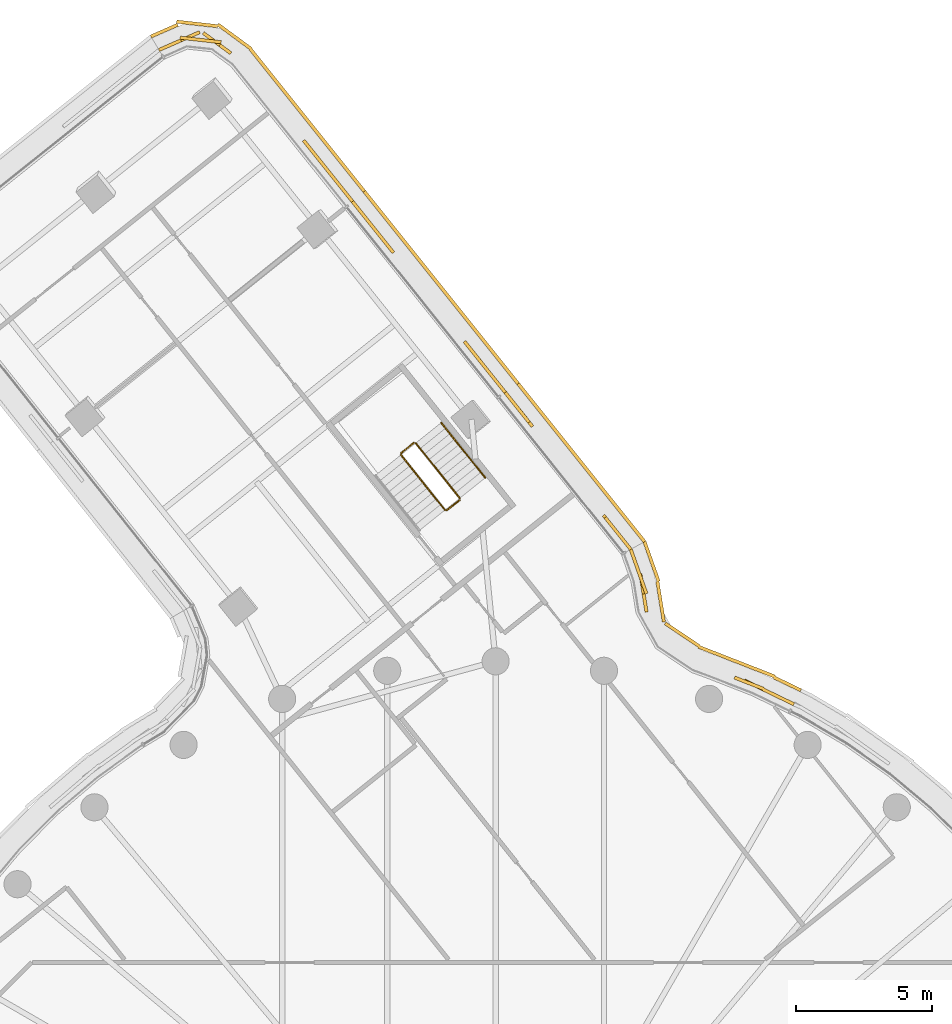
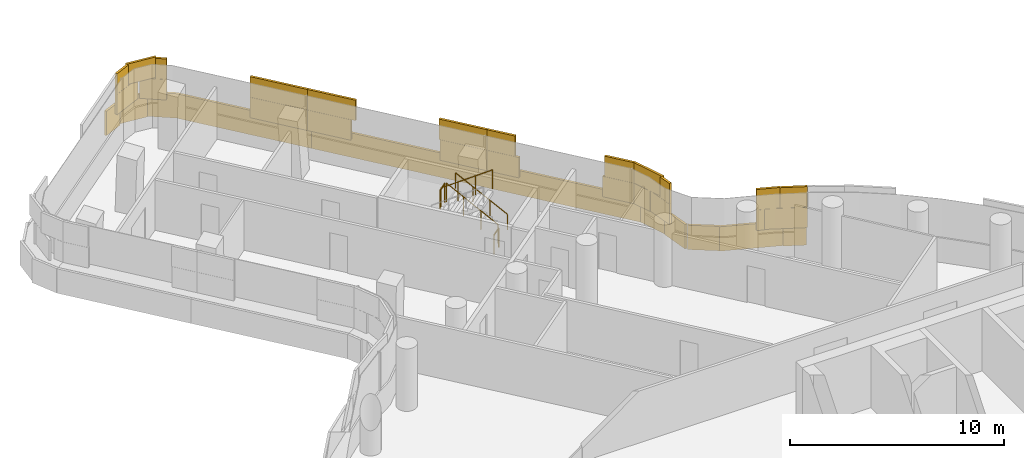
# One storey, part 31 of 31: 5 railings, 4 coverings.
"""IFC4 building model written with IfcOpenShell, lengths in metres."""

from ifc_helpers import new_model, si_unit, direction, frame, origin, origin_2d, place, context, subcontext, project, spatial, rectangle, circle, extrude, material, layer, layer_set, type_object, element, save


model = new_model("IFC4")

# Units and contexts
model_context = context("Model", 3, precision=1e-05, world=origin(), true_north=direction((0.0, 1.0)))
body_context = subcontext(model_context, "Body", "Model", "MODEL_VIEW")
ifc_project = project(units=[si_unit("LENGTHUNIT", "METRE"), si_unit("AREAUNIT", "SQUARE_METRE"), si_unit("VOLUMEUNIT", "CUBIC_METRE"), si_unit("PLANEANGLEUNIT", "RADIAN"), si_unit("MASSUNIT", "GRAM", prefix="KILO")], contexts=[model_context])

# Site, building, storey
site_placement = place(None, origin())
site = spatial("IfcSite", under=ifc_project, at=site_placement, CompositionType="ELEMENT")
building_placement = place(site_placement, origin())
building = spatial("IfcBuilding", under=site, at=building_placement, Name="Tamarind Cross Interchange Tower", CompositionType="ELEMENT")
storey_placement = place(building_placement, frame((0.0, 0.0, 174.25)))
storey = spatial("IfcBuildingStorey", under=building, at=storey_placement, Name="L43", CompositionType="ELEMENT", Elevation=174.25)

# Railings
ifc_material_1 = material(Name="Stair guard")
railing_type_1 = type_object("IfcRailingType", Name="Stair guard", PredefinedType="GUARDRAIL", material=ifc_material_1)
railing_1_placement = place(storey_placement, frame((-1.3193359375, 29.01220703125, 0.17041015625)))
element("IfcRailing", 1, at=railing_1_placement, inside=storey, type_object=railing_type_1, Name="L43 ST4 stair guard 1", PredefinedType="GUARDRAIL", context=body_context, shape_type="SweptSolid", body=[
    extrude(circle(Radius=0.02392578125, at=origin_2d()), frame((0.0, 0.0, 1.076171875), z_axis=(-0.522440495283, 0.653030987341, 0.548275896298), x_axis=(-0.780859648533, -0.62470649852, 0.0)), (0.0, 0.0, 1.0), 3.10888671875),
    extrude(circle(Radius=0.02099609375, at=origin_2d()), origin(), (0.0, 0.0, 1.0), 1.052001953125),
    extrude(circle(Radius=0.02099609375, at=origin_2d()), frame((-0.54150390625, 0.6767578125, 0.568115234375)), (0.0, 0.0, 1.0), 1.052001953125),
    extrude(circle(Radius=0.02099609375, at=origin_2d()), frame((-1.082763671875, 1.353515625, 1.136474609375)), (0.0, 0.0, 1.0), 1.052001953125),
    extrude(circle(Radius=0.02099609375, at=origin_2d()), frame((-1.624267578125, 2.0302734375, 1.70458984375)), (0.0, 0.0, 1.0), 1.052001953125),
])
railing_2_placement = place(storey_placement, frame((-3.013916015625, 31.05029296875, 1.875)))
element("IfcRailing", 2, at=railing_2_placement, inside=storey, type_object=railing_type_1, Name="L43 ST4 stair guard 2", PredefinedType="GUARDRAIL", context=body_context, shape_type="SweptSolid", body=[
    extrude(circle(Radius=0.02392578125, at=origin_2d()), frame((0.0, 0.0, 1.076171875), z_axis=(-0.780908508854, -0.624645420058, 0.0), x_axis=(0.624645420058, -0.780908508854, 0.0)), (0.0, 0.0, 1.0), 0.599853515625),
    extrude(circle(Radius=0.02099609375, at=origin_2d()), origin(), (0.0, 0.0, 1.0), 1.052001953125),
    extrude(circle(Radius=0.02099609375, at=origin_2d()), frame((-0.468505859375, -0.374755859375, 0.0)), (0.0, 0.0, 1.0), 1.052001953125),
])
railing_3_placement = place(storey_placement, frame((-3.490234375, 30.605224609375, 2.04541015625)))
element("IfcRailing", 3, at=railing_3_placement, inside=storey, type_object=railing_type_1, Name="L43 ST4 stair guard 3", PredefinedType="GUARDRAIL", context=body_context, shape_type="SweptSolid", body=[
    extrude(circle(Radius=0.02392578125, at=origin_2d()), frame((0.0, 0.0, 1.076171875), z_axis=(0.522440495283, -0.653030987341, 0.548275896298), x_axis=(0.780859648533, 0.62470649852, 0.0)), (0.0, 0.0, 1.0), 3.10888671875),
    extrude(circle(Radius=0.02099609375, at=origin_2d()), origin(), (0.0, 0.0, 1.0), 1.052001953125),
    extrude(circle(Radius=0.02099609375, at=origin_2d()), frame((0.54150390625, -0.6767578125, 0.568115234375)), (0.0, 0.0, 1.0), 1.052001953125),
    extrude(circle(Radius=0.02099609375, at=origin_2d()), frame((1.082763671875, -1.353515625, 1.136474609375)), (0.0, 0.0, 1.0), 1.052001953125),
    extrude(circle(Radius=0.02099609375, at=origin_2d()), frame((1.624267578125, -2.0302734375, 1.70458984375)), (0.0, 0.0, 1.0), 1.052001953125),
])
railing_4_placement = place(storey_placement, frame((-1.3271484375, 28.94189453125, 0.0)))
element("IfcRailing", 4, at=railing_4_placement, inside=storey, type_object=railing_type_1, Name="L43 ST4 stair guard 4", PredefinedType="GUARDRAIL", context=body_context, shape_type="SweptSolid", body=[
    extrude(circle(Radius=0.02392578125, at=origin_2d()), frame((0.0, 0.0, 1.076171875), z_axis=(-0.780908508854, -0.624645420058, 0.0), x_axis=(0.624645420058, -0.780908508854, 0.0)), (0.0, 0.0, 1.0), 0.599853515625),
    extrude(circle(Radius=0.02099609375, at=origin_2d()), origin(), (0.0, 0.0, 1.0), 1.052001953125),
    extrude(circle(Radius=0.02099609375, at=origin_2d()), frame((-0.468505859375, -0.374755859375, 0.0)), (0.0, 0.0, 1.0), 1.052001953125),
])
ifc_material_2 = material(Name="Stair handrail")
railing_type_2 = type_object("IfcRailingType", Name="Stair handrail", PredefinedType="HANDRAIL", material=ifc_material_2)
railing_5_placement = place(storey_placement, frame((-0.38232421875, 29.761962890625, 0.17041015625)))
element("IfcRailing", 5, at=railing_5_placement, inside=storey, type_object=railing_type_2, Name="L43 ST4 stair handrail 1", PredefinedType="HANDRAIL", context=body_context, shape_type="SweptSolid", body=[
    extrude(circle(Radius=0.02392578125, at=origin_2d()), frame((0.0, 0.0, 0.8759765625), z_axis=(-0.522383398209, 0.653057778038, 0.548298389401), x_axis=(-0.780905453553, -0.624649239663, 0.0)), (0.0, 0.0, 1.0), 3.10888671875),
    extrude(circle(Radius=0.02099609375, at=origin_2d()), origin(), (0.0, 0.0, 1.0), 0.851806640625),
    extrude(circle(Radius=0.02099609375, at=origin_2d()), frame((-0.541259765625, 0.6767578125, 0.568115234375)), (0.0, 0.0, 1.0), 0.851806640625),
    extrude(circle(Radius=0.02099609375, at=origin_2d()), frame((-1.082763671875, 1.353515625, 1.136474609375)), (0.0, 0.0, 1.0), 0.851806640625),
    extrude(circle(Radius=0.02099609375, at=origin_2d()), frame((-1.6240234375, 2.0302734375, 1.70458984375)), (0.0, 0.0, 1.0), 0.851806640625),
])

# Coverings
ifc_material_3 = material(Name="Terracotta", Category="masonry")
ifc_layer = layer(ifc_material_3, 0.1201171875)
ifc_layer_set = layer_set([ifc_layer], Name="Terracotta")
covering_type = type_object("IfcCoveringType", Name="Terracotta baguette screen unit", PredefinedType="MOLDING", material=ifc_layer_set)
covering_1_placement = place(storey_placement, origin())
element("IfcCovering", 6, at=covering_1_placement, inside=storey, type_object=covering_type, Name="SCR-L43-10-01", PredefinedType="MOLDING", context=body_context, shape_type="SweptSolid", body=[
    extrude(rectangle(XDim=0.516845703125, YDim=0.1201171875, at=origin_2d()), frame((10.7568359375, 21.52978515625, 1.404052734375), z_axis=(0.0, 0.0, 1.0), x_axis=(-0.900272776334, 0.435326231914, 0.0)), (0.0, 0.0, 1.0), 1.1669921875),
    extrude(rectangle(XDim=1.52001953125, YDim=0.1201171875, at=origin_2d()), frame((9.853271484375, 21.966796875, 1.404052734375), z_axis=(0.0, 0.0, 1.0), x_axis=(-0.900272776334, 0.435326231914, 0.0)), (0.0, 0.0, 1.0), 1.1669921875),
    extrude(rectangle(XDim=0.392578125, YDim=0.1201171875, at=origin_2d()), frame((8.98583984375, 22.33056640625, 1.404052734375), z_axis=(0.0, 0.0, 1.0), x_axis=(-0.931591088049, 0.363507970569, 0.0)), (0.0, 0.0, 1.0), 1.1669921875),
    extrude(rectangle(XDim=1.42724609375, YDim=0.1201171875, at=origin_2d()), frame((5.44921875, 25.518310546875, 1.404052734375), z_axis=(0.0, 0.0, 1.0), x_axis=(-0.157985413104, 0.987441445984, 0.0)), (0.0, 0.0, 1.0), 1.1669921875),
    extrude(rectangle(XDim=0.982177734375, YDim=0.1201171875, at=origin_2d()), frame((5.140869140625, 26.667724609375, 1.404052734375), z_axis=(0.0, 0.0, 1.0), x_axis=(-0.333495519273, 0.942751684499, 0.0)), (0.0, 0.0, 1.0), 1.1669921875),
    extrude(rectangle(XDim=1.266845703125, YDim=0.1201171875, at=origin_2d()), frame((10.419189453125, 21.693115234375, 2.5791015625), z_axis=(0.0, 0.0, 1.0), x_axis=(-0.900272776334, 0.435326231914, 0.0)), (0.0, 0.0, 1.0), 1.1669921875),
    extrude(rectangle(XDim=1.142578125, YDim=0.1201171875, at=origin_2d()), frame((9.335205078125, 22.1943359375, 2.5791015625), z_axis=(0.0, 0.0, 1.0), x_axis=(-0.931591088049, 0.363507970569, 0.0)), (0.0, 0.0, 1.0), 1.1669921875),
    extrude(rectangle(XDim=0.67724609375, YDim=0.1201171875, at=origin_2d()), frame((5.508544921875, 25.14794921875, 2.5791015625), z_axis=(0.0, 0.0, 1.0), x_axis=(-0.157985413104, 0.987441445984, 0.0)), (0.0, 0.0, 1.0), 1.1669921875),
    extrude(rectangle(XDim=1.52001953125, YDim=0.1201171875, at=origin_2d()), frame((5.30322265625, 26.20947265625, 2.5791015625), z_axis=(0.0, 0.0, 1.0), x_axis=(-0.333495519273, 0.942751684499, 0.0)), (0.0, 0.0, 1.0), 1.1669921875),
    extrude(rectangle(XDim=0.232177734375, YDim=0.1201171875, at=origin_2d()), frame((5.015869140625, 27.021240234375, 2.5791015625), z_axis=(0.0, 0.0, 1.0), x_axis=(-0.333495519273, 0.942751684499, 0.0)), (0.0, 0.0, 1.0), 1.1669921875),
    extrude(rectangle(XDim=1.099853515625, YDim=0.1201171875, at=origin_2d()), frame((10.752197265625, 22.169677734375, 0.00390625), z_axis=(0.0, 0.0, 1.0), x_axis=(-0.900272776334, 0.435326231914, 0.0)), (0.0, 0.0, 1.0), 1.39208984375),
    extrude(rectangle(XDim=1.52001953125, YDim=0.1201171875, at=origin_2d()), frame((9.583251953125, 22.7138671875, 0.00390625), z_axis=(0.0, 0.0, 1.0), x_axis=(-0.931591088049, 0.363507970569, 0.0)), (0.0, 0.0, 1.0), 1.39208984375),
    extrude(rectangle(XDim=1.52001953125, YDim=0.1201171875, at=origin_2d()), frame((8.185791015625, 23.259033203125, 0.00390625), z_axis=(0.0, 0.0, 1.0), x_axis=(-0.931591088049, 0.363507970569, 0.0)), (0.0, 0.0, 1.0), 1.39208984375),
    extrude(rectangle(XDim=1.52001953125, YDim=0.1201171875, at=origin_2d()), frame((6.87939453125, 23.975341796875, 0.00390625), z_axis=(0.0, 0.0, 1.0), x_axis=(-0.829754171927, 0.558129030036, 0.0)), (0.0, 0.0, 1.0), 1.39208984375),
    extrude(rectangle(XDim=1.52001953125, YDim=0.1201171875, at=origin_2d()), frame((6.0810546875, 25.201904296875, 0.00390625), z_axis=(0.0, 0.0, 1.0), x_axis=(-0.157985413104, 0.987441445984, 0.0)), (0.0, 0.0, 1.0), 1.39208984375),
    extrude(rectangle(XDim=1.52001953125, YDim=0.1201171875, at=origin_2d()), frame((5.752685546875, 26.659912109375, 0.00390625), z_axis=(0.0, 0.0, 1.0), x_axis=(-0.333495519273, 0.942751684499, 0.0)), (0.0, 0.0, 1.0), 1.39208984375),
    extrude(rectangle(XDim=0.054443359375, YDim=0.1201171875, at=origin_2d()), frame((5.496826171875, 27.383056640625, 0.00390625), z_axis=(0.0, 0.0, 1.0), x_axis=(-0.333495519273, 0.942751684499, 0.0)), (0.0, 0.0, 1.0), 1.39208984375),
])
covering_2_placement = place(storey_placement, origin())
element("IfcCovering", 7, at=covering_2_placement, inside=storey, type_object=covering_type, Name="SCR-L43-11-00", PredefinedType="MOLDING", context=body_context, shape_type="SweptSolid", body=[
    extrude(rectangle(XDim=0.760009765625, YDim=0.1201171875, at=origin_2d()), frame((4.74462890625, 27.4189453125, 1.404052734375), z_axis=(0.0, 0.0, 1.0), x_axis=(-0.624664951388, 0.780892885425, 0.0)), (0.0, 0.0, 1.0), 1.1669921875),
    extrude(rectangle(XDim=0.8603515625, YDim=0.1201171875, at=origin_2d()), frame((4.244873046875, 28.043701171875, 1.404052734375), z_axis=(0.0, 0.0, 1.0), x_axis=(-0.624664951388, 0.780892885425, 0.0)), (0.0, 0.0, 1.0), 1.1669921875),
    extrude(rectangle(XDim=0.959716796875, YDim=0.1201171875, at=origin_2d()), frame((1.05908203125, 32.0263671875, 1.404052734375), z_axis=(0.0, 0.0, 1.0), x_axis=(-0.624664951388, 0.780892885425, 0.0)), (0.0, 0.0, 1.0), 1.1669921875),
    extrude(rectangle(XDim=0.66064453125, YDim=0.1201171875, at=origin_2d()), frame((0.55908203125, 32.651123046875, 1.404052734375), z_axis=(0.0, 0.0, 1.0), x_axis=(-0.624664951388, 0.780892885425, 0.0)), (0.0, 0.0, 1.0), 1.1669921875),
    extrude(rectangle(XDim=1.510009765625, YDim=0.1201171875, at=origin_2d()), frame((4.51025390625, 27.711669921875, 2.5791015625), z_axis=(0.0, 0.0, 1.0), x_axis=(-0.624664951388, 0.780892885425, 0.0)), (0.0, 0.0, 1.0), 1.1669921875),
    extrude(rectangle(XDim=1.41064453125, YDim=0.1201171875, at=origin_2d()), frame((0.79345703125, 32.3583984375, 2.5791015625), z_axis=(0.0, 0.0, 1.0), x_axis=(-0.624664951388, 0.780892885425, 0.0)), (0.0, 0.0, 1.0), 1.1669921875),
    extrude(rectangle(XDim=0.760009765625, YDim=0.1201171875, at=origin_2d()), frame((5.250244140625, 27.70556640625, 0.00390625), z_axis=(0.0, 0.0, 1.0), x_axis=(-0.624664951388, 0.780892885425, 0.0)), (0.0, 0.0, 1.0), 1.39208984375),
    extrude(rectangle(XDim=1.52001953125, YDim=0.1201171875, at=origin_2d()), frame((4.55078125, 28.580078125, 0.00390625), z_axis=(0.0, 0.0, 1.0), x_axis=(-0.624664951388, 0.780892885425, 0.0)), (0.0, 0.0, 1.0), 1.39208984375),
    extrude(rectangle(XDim=1.52001953125, YDim=0.1201171875, at=origin_2d()), frame((3.61376953125, 29.75146484375, 0.00390625), z_axis=(0.0, 0.0, 1.0), x_axis=(-0.624664951388, 0.780892885425, 0.0)), (0.0, 0.0, 1.0), 1.39208984375),
    extrude(rectangle(XDim=1.52001953125, YDim=0.1201171875, at=origin_2d()), frame((2.6767578125, 30.9228515625, 0.00390625), z_axis=(0.0, 0.0, 1.0), x_axis=(-0.624664951388, 0.780892885425, 0.0)), (0.0, 0.0, 1.0), 1.39208984375),
    extrude(rectangle(XDim=1.52001953125, YDim=0.1201171875, at=origin_2d()), frame((1.73974609375, 32.09423828125, 0.00390625), z_axis=(0.0, 0.0, 1.0), x_axis=(-0.624664951388, 0.780892885425, 0.0)), (0.0, 0.0, 1.0), 1.39208984375),
    extrude(rectangle(XDim=0.7158203125, YDim=0.1201171875, at=origin_2d()), frame((1.0537109375, 32.95166015625, 0.00390625), z_axis=(0.0, 0.0, 1.0), x_axis=(-0.624664951388, 0.780892885425, 0.0)), (0.0, 0.0, 1.0), 1.39208984375),
])
covering_3_placement = place(storey_placement, origin())
element("IfcCovering", 8, at=covering_3_placement, inside=storey, type_object=covering_type, Name="SCR-L43-11-01", PredefinedType="MOLDING", context=body_context, shape_type="SweptSolid", body=[
    extrude(rectangle(XDim=0.859130859375, YDim=0.1201171875, at=origin_2d()), frame((0.090576171875, 33.23681640625, 1.404052734375), z_axis=(0.0, 0.0, 1.0), x_axis=(-0.624664951388, 0.780892885425, 0.0)), (0.0, 0.0, 1.0), 1.1669921875),
    extrude(rectangle(XDim=1.52001953125, YDim=0.1201171875, at=origin_2d()), frame((-0.64306640625, 34.154052734375, 1.404052734375), z_axis=(0.0, 0.0, 1.0), x_axis=(-0.624664951388, 0.780892885425, 0.0)), (0.0, 0.0, 1.0), 1.1669921875),
    extrude(rectangle(XDim=1.52001953125, YDim=0.1201171875, at=origin_2d()), frame((-4.39111328125, 38.83935546875, 1.404052734375), z_axis=(0.0, 0.0, 1.0), x_axis=(-0.624664951388, 0.780892885425, 0.0)), (0.0, 0.0, 1.0), 1.1669921875),
    extrude(rectangle(XDim=0.67138671875, YDim=0.1201171875, at=origin_2d()), frame((-5.066162109375, 39.683349609375, 1.404052734375), z_axis=(0.0, 0.0, 1.0), x_axis=(-0.624664951388, 0.780892885425, 0.0)), (0.0, 0.0, 1.0), 1.1669921875),
    extrude(rectangle(XDim=0.109130859375, YDim=0.1201171875, at=origin_2d()), frame((0.324951171875, 32.94384765625, 2.5791015625), z_axis=(0.0, 0.0, 1.0), x_axis=(-0.624664951388, 0.780892885425, 0.0)), (0.0, 0.0, 1.0), 1.1669921875),
    extrude(rectangle(XDim=1.52001953125, YDim=0.1201171875, at=origin_2d()), frame((-0.174560546875, 33.568359375, 2.5791015625), z_axis=(0.0, 0.0, 1.0), x_axis=(-0.624664951388, 0.780892885425, 0.0)), (0.0, 0.0, 1.0), 1.1669921875),
    extrude(rectangle(XDim=0.81591796875, YDim=0.1201171875, at=origin_2d()), frame((-0.894775390625, 34.46875, 2.5791015625), z_axis=(0.0, 0.0, 1.0), x_axis=(-0.624664951388, 0.780892885425, 0.0)), (0.0, 0.0, 1.0), 1.1669921875),
    extrude(rectangle(XDim=1.00390625, YDim=0.1201171875, at=origin_2d()), frame((-4.08056640625, 38.451416015625, 2.5791015625), z_axis=(0.0, 0.0, 1.0), x_axis=(-0.624664951388, 0.780892885425, 0.0)), (0.0, 0.0, 1.0), 1.1669921875),
    extrude(rectangle(XDim=1.42138671875, YDim=0.1201171875, at=origin_2d()), frame((-4.831787109375, 39.390380859375, 2.5791015625), z_axis=(0.0, 0.0, 1.0), x_axis=(-0.624664951388, 0.780892885425, 0.0)), (0.0, 0.0, 1.0), 1.1669921875),
    extrude(rectangle(XDim=0.80419921875, YDim=0.1201171875, at=origin_2d()), frame((0.5791015625, 33.545166015625, 0.00390625), z_axis=(0.0, 0.0, 1.0), x_axis=(-0.624664951388, 0.780892885425, 0.0)), (0.0, 0.0, 1.0), 1.39208984375),
    extrude(rectangle(XDim=1.52001953125, YDim=0.1201171875, at=origin_2d()), frame((-0.13427734375, 34.436767578125, 0.00390625), z_axis=(0.0, 0.0, 1.0), x_axis=(-0.624664951388, 0.780892885425, 0.0)), (0.0, 0.0, 1.0), 1.39208984375),
    extrude(rectangle(XDim=1.52001953125, YDim=0.1201171875, at=origin_2d()), frame((-1.0712890625, 35.608154296875, 0.00390625), z_axis=(0.0, 0.0, 1.0), x_axis=(-0.624664951388, 0.780892885425, 0.0)), (0.0, 0.0, 1.0), 1.39208984375),
    extrude(rectangle(XDim=1.52001953125, YDim=0.1201171875, at=origin_2d()), frame((-2.00830078125, 36.779541015625, 0.00390625), z_axis=(0.0, 0.0, 1.0), x_axis=(-0.624664951388, 0.780892885425, 0.0)), (0.0, 0.0, 1.0), 1.39208984375),
    extrude(rectangle(XDim=1.52001953125, YDim=0.1201171875, at=origin_2d()), frame((-2.9453125, 37.950927734375, 0.00390625), z_axis=(0.0, 0.0, 1.0), x_axis=(-0.624664951388, 0.780892885425, 0.0)), (0.0, 0.0, 1.0), 1.39208984375),
    extrude(rectangle(XDim=1.52001953125, YDim=0.1201171875, at=origin_2d()), frame((-3.88232421875, 39.122314453125, 0.00390625), z_axis=(0.0, 0.0, 1.0), x_axis=(-0.624664951388, 0.780892885425, 0.0)), (0.0, 0.0, 1.0), 1.39208984375),
    extrude(rectangle(XDim=0.79345703125, YDim=0.1201171875, at=origin_2d()), frame((-4.592529296875, 40.010009765625, 0.00390625), z_axis=(0.0, 0.0, 1.0), x_axis=(-0.624664951388, 0.780892885425, 0.0)), (0.0, 0.0, 1.0), 1.39208984375),
])
covering_4_placement = place(storey_placement, origin())
element("IfcCovering", 9, at=covering_4_placement, inside=storey, type_object=covering_type, Name="SCR-L43-11-02", PredefinedType="MOLDING", context=body_context, shape_type="SweptSolid", body=[
    extrude(rectangle(XDim=0.8486328125, YDim=0.1201171875, at=origin_2d()), frame((-5.53466796875, 40.26904296875, 1.404052734375), z_axis=(0.0, 0.0, 1.0), x_axis=(-0.624664951388, 0.780892885425, 0.0)), (0.0, 0.0, 1.0), 1.1669921875),
    extrude(rectangle(XDim=1.52001953125, YDim=0.1201171875, at=origin_2d()), frame((-6.26513671875, 41.18212890625, 1.404052734375), z_axis=(0.0, 0.0, 1.0), x_axis=(-0.624664951388, 0.780892885425, 0.0)), (0.0, 0.0, 1.0), 1.1669921875),
    extrude(rectangle(XDim=0.554931640625, YDim=0.1201171875, at=origin_2d()), frame((-6.90380859375, 41.98046875, 1.404052734375), z_axis=(0.0, 0.0, 1.0), x_axis=(-0.624664951388, 0.780892885425, 0.0)), (0.0, 0.0, 1.0), 1.1669921875),
    extrude(rectangle(XDim=1.26513671875, YDim=0.1201171875, at=origin_2d()), frame((-10.264892578125, 45.7802734375, 1.404052734375), z_axis=(0.0, 0.0, 1.0), x_axis=(-0.805489960256, 0.59260941937, 0.0)), (0.0, 0.0, 1.0), 1.1669921875),
    extrude(rectangle(XDim=1.52001953125, YDim=0.1201171875, at=origin_2d()), frame((-11.60009765625, 45.882568359375, 1.404052734375), z_axis=(0.0, 0.0, 1.0), x_axis=(-0.915959791825, -0.40127005839, 0.0)), (0.0, 0.0, 1.0), 1.1669921875),
    extrude(rectangle(XDim=0.138427734375, YDim=0.1201171875, at=origin_2d()), frame((-12.345703125, 45.555908203125, 1.404052734375), z_axis=(0.0, 0.0, 1.0), x_axis=(-0.915959791825, -0.40127005839, 0.0)), (0.0, 0.0, 1.0), 1.1669921875),
    extrude(rectangle(XDim=0.0986328125, YDim=0.1201171875, at=origin_2d()), frame((-5.30029296875, 39.97607421875, 2.5791015625), z_axis=(0.0, 0.0, 1.0), x_axis=(-0.624664951388, 0.780892885425, 0.0)), (0.0, 0.0, 1.0), 1.1669921875),
    extrude(rectangle(XDim=1.52001953125, YDim=0.1201171875, at=origin_2d()), frame((-5.796630859375, 40.596435546875, 2.5791015625), z_axis=(0.0, 0.0, 1.0), x_axis=(-0.624664951388, 0.780892885425, 0.0)), (0.0, 0.0, 1.0), 1.1669921875),
    extrude(rectangle(XDim=1.304931640625, YDim=0.1201171875, at=origin_2d()), frame((-6.66943359375, 41.687744140625, 2.5791015625), z_axis=(0.0, 0.0, 1.0), x_axis=(-0.624664951388, 0.780892885425, 0.0)), (0.0, 0.0, 1.0), 1.1669921875),
    extrude(rectangle(XDim=0.51513671875, YDim=0.1201171875, at=origin_2d()), frame((-9.962890625, 45.55810546875, 2.5791015625), z_axis=(0.0, 0.0, 1.0), x_axis=(-0.805489960256, 0.59260941937, 0.0)), (0.0, 0.0, 1.0), 1.1669921875),
    extrude(rectangle(XDim=1.52001953125, YDim=0.1201171875, at=origin_2d()), frame((-10.86962890625, 45.8984375, 2.5791015625), z_axis=(0.0, 0.0, 1.0), x_axis=(-0.99387947776, 0.110469831569, 0.0)), (0.0, 0.0, 1.0), 1.1669921875),
    extrude(rectangle(XDim=0.888427734375, YDim=0.1201171875, at=origin_2d()), frame((-12.002197265625, 45.70654296875, 2.5791015625), z_axis=(0.0, 0.0, 1.0), x_axis=(-0.915959791825, -0.40127005839, 0.0)), (0.0, 0.0, 1.0), 1.1669921875),
    extrude(rectangle(XDim=0.726318359375, YDim=0.1201171875, at=origin_2d()), frame((-5.067138671875, 40.603515625, 0.00390625), z_axis=(0.0, 0.0, 1.0), x_axis=(-0.624664951388, 0.780892885425, 0.0)), (0.0, 0.0, 1.0), 1.39208984375),
    extrude(rectangle(XDim=1.52001953125, YDim=0.1201171875, at=origin_2d()), frame((-5.75634765625, 41.46484375, 0.00390625), z_axis=(0.0, 0.0, 1.0), x_axis=(-0.624664951388, 0.780892885425, 0.0)), (0.0, 0.0, 1.0), 1.39208984375),
    extrude(rectangle(XDim=1.52001953125, YDim=0.1201171875, at=origin_2d()), frame((-6.693359375, 42.63623046875, 0.00390625), z_axis=(0.0, 0.0, 1.0), x_axis=(-0.624664951388, 0.780892885425, 0.0)), (0.0, 0.0, 1.0), 1.39208984375),
    extrude(rectangle(XDim=1.52001953125, YDim=0.1201171875, at=origin_2d()), frame((-7.63037109375, 43.8076171875, 0.00390625), z_axis=(0.0, 0.0, 1.0), x_axis=(-0.624664951388, 0.780892885425, 0.0)), (0.0, 0.0, 1.0), 1.39208984375),
    extrude(rectangle(XDim=1.52001953125, YDim=0.1201171875, at=origin_2d()), frame((-8.5673828125, 44.97900390625, 0.00390625), z_axis=(0.0, 0.0, 1.0), x_axis=(-0.624664951388, 0.780892885425, 0.0)), (0.0, 0.0, 1.0), 1.39208984375),
    extrude(rectangle(XDim=1.52001953125, YDim=0.1201171875, at=origin_2d()), frame((-9.62646484375, 46.023193359375, 0.00390625), z_axis=(0.0, 0.0, 1.0), x_axis=(-0.805489960256, 0.59260941937, 0.0)), (0.0, 0.0, 1.0), 1.39208984375),
    extrude(rectangle(XDim=1.52001953125, YDim=0.1201171875, at=origin_2d()), frame((-10.999267578125, 46.490478515625, 0.00390625), z_axis=(0.0, 0.0, 1.0), x_axis=(-0.99387947776, 0.110469831569, 0.0)), (0.0, 0.0, 1.0), 1.39208984375),
    extrude(rectangle(XDim=1.0771484375, YDim=0.1201171875, at=origin_2d()), frame((-12.210693359375, 46.24169921875, 0.00390625), z_axis=(0.0, 0.0, 1.0), x_axis=(-0.915959791825, -0.40127005839, 0.0)), (0.0, 0.0, 1.0), 1.39208984375),
])

save(model, "model.ifc")
